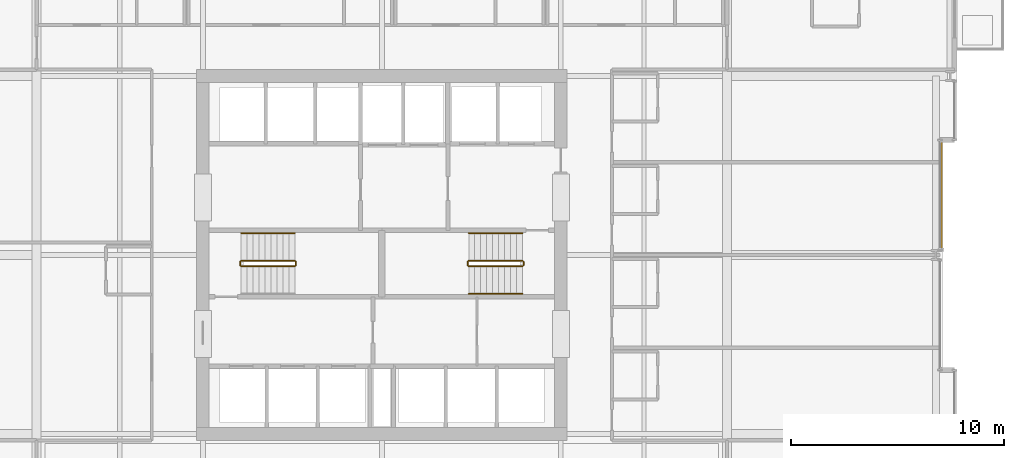
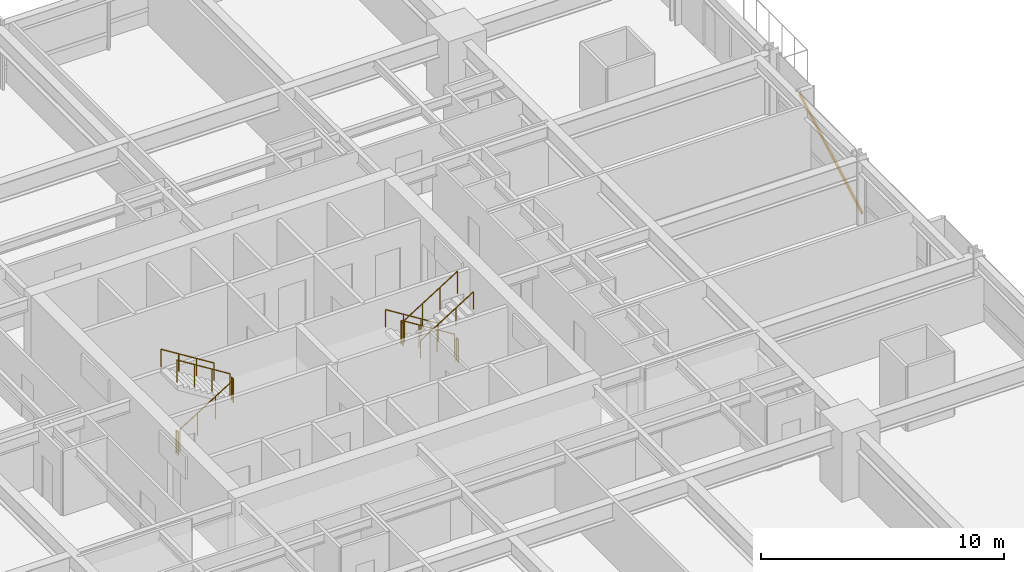
# One storey, part 37 of 38: 11 railings, 1 shading device.
"""IFC4 building model written with IfcOpenShell, lengths in metres."""

from ifc_helpers import new_model, si_unit, direction, frame, origin, origin_2d, place, context, subcontext, project, spatial, hollow_rectangle, circle, extrude, material, material_profile, profile_set, type_object, element, save


model = new_model("IFC4")

# Units and contexts
model_context = context("Model", 3, precision=1e-05, world=origin(), true_north=direction((0.0, 1.0)))
body_context = subcontext(model_context, "Body", "Model", "MODEL_VIEW")
ifc_project = project(units=[si_unit("LENGTHUNIT", "METRE"), si_unit("AREAUNIT", "SQUARE_METRE"), si_unit("VOLUMEUNIT", "CUBIC_METRE"), si_unit("PLANEANGLEUNIT", "RADIAN"), si_unit("MASSUNIT", "GRAM", prefix="KILO")], contexts=[model_context])

# Site, building, storey
site_placement = place(None, origin())
site = spatial("IfcSite", under=ifc_project, at=site_placement, CompositionType="ELEMENT")
building_placement = place(site_placement, origin())
building = spatial("IfcBuilding", under=site, at=building_placement, Name="Drelvath Grand Hotel", CompositionType="ELEMENT")
storey_placement = place(building_placement, frame((0.0, 0.0, 50.699951171875)))
storey = spatial("IfcBuildingStorey", under=building, at=storey_placement, Name="L11", CompositionType="ELEMENT", Elevation=50.699951171875)

# Railings
ifc_material_1 = material(Name="Painted Steel S275", Category="steel")
railing_type_1 = type_object("IfcRailingType", Name="Core Stair Wall Handrail 900", PredefinedType="HANDRAIL", material=ifc_material_1)
for number, where, name in (
    (1, (-4.080078125, 28.030029296875, 1.925048828125), "L11 ST-1 stair handrail 2"),
    (2, (6.60009765625, 28.030029296875, 0.175048828125), "L11 ST-2 stair handrail 1"),
):
    element("IfcRailing", number, at=place(storey_placement, frame(where)), inside=storey, type_object=railing_type_1, Name=name, PredefinedType="HANDRAIL", context=body_context, shape_type="SweptSolid", body=[
        extrude(circle(Radius=0.02392578125, at=origin_2d()), frame((0.0, 0.0, 0.8759765625), z_axis=(-0.848007534815, 0.0, 0.529984170421), x_axis=(0.0, -1.0, 0.0)), (0.0, 0.0, 1.0), 2.9716796875),
        extrude(circle(Radius=0.02099609375, at=origin_2d()), origin(), (0.0, 0.0, 1.0), 0.851806640625),
        extrude(circle(Radius=0.02099609375, at=origin_2d()), frame((-0.840087890625, 0.0, 0.52490234375)), (0.0, 0.0, 1.0), 0.851806640625),
        extrude(circle(Radius=0.02099609375, at=origin_2d()), frame((-1.679931640625, 0.0, 1.050048828125)), (0.0, 0.0, 1.0), 0.851806640625),
        extrude(circle(Radius=0.02099609375, at=origin_2d()), frame((-2.52001953125, 0.0, 1.574951171875)), (0.0, 0.0, 1.0), 0.851806640625),
    ])
railing_1_placement = place(storey_placement, frame((4.080078125, 25.169921875, 1.925048828125)))
element("IfcRailing", 3, at=railing_1_placement, inside=storey, type_object=railing_type_1, Name="L11 ST-2 stair handrail 2", PredefinedType="HANDRAIL", context=body_context, shape_type="SweptSolid", body=[
    extrude(circle(Radius=0.02392578125, at=origin_2d()), frame((0.0, 0.0, 0.8759765625), z_axis=(0.848007534815, 0.0, 0.529984170421), x_axis=(0.0, 1.0, 0.0)), (0.0, 0.0, 1.0), 2.9716796875),
    extrude(circle(Radius=0.02099609375, at=origin_2d()), origin(), (0.0, 0.0, 1.0), 0.851806640625),
    extrude(circle(Radius=0.02099609375, at=origin_2d()), frame((0.840087890625, 0.0, 0.52490234375)), (0.0, 0.0, 1.0), 0.851806640625),
    extrude(circle(Radius=0.02099609375, at=origin_2d()), frame((1.679931640625, 0.0, 1.050048828125)), (0.0, 0.0, 1.0), 0.851806640625),
    extrude(circle(Radius=0.02099609375, at=origin_2d()), frame((2.52001953125, 0.0, 1.574951171875)), (0.0, 0.0, 1.0), 0.851806640625),
])
railing_type_2 = type_object("IfcRailingType", Name="Core Stair Well Guardrail 1100", PredefinedType="GUARDRAIL", material=ifc_material_1)
railing_2_placement = place(storey_placement, frame((-6.60009765625, 26.469970703125, 0.175048828125)))
element("IfcRailing", 4, at=railing_2_placement, inside=storey, type_object=railing_type_2, Name="L11 ST-1 stair guard 1", PredefinedType="GUARDRAIL", context=body_context, shape_type="SweptSolid", body=[
    extrude(circle(Radius=0.02392578125, at=origin_2d()), frame((0.0, 0.0, 1.1259765625), z_axis=(0.848007534815, 0.0, 0.529984170421), x_axis=(0.0, 1.0, 0.0)), (0.0, 0.0, 1.0), 2.9716796875),
    extrude(circle(Radius=0.02099609375, at=origin_2d()), origin(), (0.0, 0.0, 1.0), 1.101806640625),
    extrude(circle(Radius=0.02099609375, at=origin_2d()), frame((0.840087890625, 0.0, 0.52490234375)), (0.0, 0.0, 1.0), 1.101806640625),
    extrude(circle(Radius=0.02099609375, at=origin_2d()), frame((1.679931640625, 0.0, 1.050048828125)), (0.0, 0.0, 1.0), 1.101806640625),
    extrude(circle(Radius=0.02099609375, at=origin_2d()), frame((2.52001953125, 0.0, 1.574951171875)), (0.0, 0.0, 1.0), 1.101806640625),
])
railing_3_placement = place(storey_placement, frame((-4.030029296875, 26.52001953125, 1.75)))
element("IfcRailing", 5, at=railing_3_placement, inside=storey, type_object=railing_type_2, Name="L11 ST-1 stair guard 2", PredefinedType="GUARDRAIL", context=body_context, shape_type="SweptSolid", body=[
    extrude(circle(Radius=0.02392578125, at=origin_2d()), frame((0.0, 0.0, 1.1259765625), z_axis=(0.0, 1.0, 0.0), x_axis=(-1.0, 0.0, 0.0)), (0.0, 0.0, 1.0), 0.159912109375),
    extrude(circle(Radius=0.02099609375, at=origin_2d()), origin(), (0.0, 0.0, 1.0), 1.101806640625),
    extrude(circle(Radius=0.02099609375, at=origin_2d()), frame((0.0, 0.159912109375, 0.0)), (0.0, 0.0, 1.0), 1.101806640625),
])
railing_4_placement = place(storey_placement, frame((-4.080078125, 26.72998046875, 1.925048828125)))
element("IfcRailing", 6, at=railing_4_placement, inside=storey, type_object=railing_type_2, Name="L11 ST-1 stair guard 3", PredefinedType="GUARDRAIL", context=body_context, shape_type="SweptSolid", body=[
    extrude(circle(Radius=0.02392578125, at=origin_2d()), frame((0.0, 0.0, 1.1259765625), z_axis=(-0.848007534815, 0.0, 0.529984170421), x_axis=(0.0, -1.0, 0.0)), (0.0, 0.0, 1.0), 2.9716796875),
    extrude(circle(Radius=0.02099609375, at=origin_2d()), origin(), (0.0, 0.0, 1.0), 1.101806640625),
    extrude(circle(Radius=0.02099609375, at=origin_2d()), frame((-0.840087890625, 0.0, 0.52490234375)), (0.0, 0.0, 1.0), 1.101806640625),
    extrude(circle(Radius=0.02099609375, at=origin_2d()), frame((-1.679931640625, 0.0, 1.050048828125)), (0.0, 0.0, 1.0), 1.101806640625),
    extrude(circle(Radius=0.02099609375, at=origin_2d()), frame((-2.52001953125, 0.0, 1.574951171875)), (0.0, 0.0, 1.0), 1.101806640625),
])
railing_5_placement = place(storey_placement, frame((-6.64990234375, 26.52001953125, 0.0)))
element("IfcRailing", 7, at=railing_5_placement, inside=storey, type_object=railing_type_2, Name="L11 ST-1 stair guard 4", PredefinedType="GUARDRAIL", context=body_context, shape_type="SweptSolid", body=[
    extrude(circle(Radius=0.02392578125, at=origin_2d()), frame((0.0, 0.0, 1.1259765625), z_axis=(0.0, 1.0, 0.0), x_axis=(-1.0, 0.0, 0.0)), (0.0, 0.0, 1.0), 0.159912109375),
    extrude(circle(Radius=0.02099609375, at=origin_2d()), origin(), (0.0, 0.0, 1.0), 1.101806640625),
    extrude(circle(Radius=0.02099609375, at=origin_2d()), frame((0.0, 0.159912109375, 0.0)), (0.0, 0.0, 1.0), 1.101806640625),
])
railing_6_placement = place(storey_placement, frame((6.60009765625, 26.72998046875, 0.175048828125)))
element("IfcRailing", 8, at=railing_6_placement, inside=storey, type_object=railing_type_2, Name="L11 ST-2 stair guard 1", PredefinedType="GUARDRAIL", context=body_context, shape_type="SweptSolid", body=[
    extrude(circle(Radius=0.02392578125, at=origin_2d()), frame((0.0, 0.0, 1.1259765625), z_axis=(-0.848007534815, 0.0, 0.529984170421), x_axis=(0.0, -1.0, 0.0)), (0.0, 0.0, 1.0), 2.9716796875),
    extrude(circle(Radius=0.02099609375, at=origin_2d()), origin(), (0.0, 0.0, 1.0), 1.101806640625),
    extrude(circle(Radius=0.02099609375, at=origin_2d()), frame((-0.840087890625, 0.0, 0.52490234375)), (0.0, 0.0, 1.0), 1.101806640625),
    extrude(circle(Radius=0.02099609375, at=origin_2d()), frame((-1.679931640625, 0.0, 1.050048828125)), (0.0, 0.0, 1.0), 1.101806640625),
    extrude(circle(Radius=0.02099609375, at=origin_2d()), frame((-2.52001953125, 0.0, 1.574951171875)), (0.0, 0.0, 1.0), 1.101806640625),
])
railing_7_placement = place(storey_placement, frame((4.030029296875, 26.679931640625, 1.75)))
element("IfcRailing", 9, at=railing_7_placement, inside=storey, type_object=railing_type_2, Name="L11 ST-2 stair guard 2", PredefinedType="GUARDRAIL", context=body_context, shape_type="SweptSolid", body=[
    extrude(circle(Radius=0.02392578125, at=origin_2d()), frame((0.0, 0.0, 1.1259765625), z_axis=(0.0, -1.0, 0.0), x_axis=(1.0, 0.0, 0.0)), (0.0, 0.0, 1.0), 0.159912109375),
    extrude(circle(Radius=0.02099609375, at=origin_2d()), origin(), (0.0, 0.0, 1.0), 1.101806640625),
    extrude(circle(Radius=0.02099609375, at=origin_2d()), frame((0.0, -0.159912109375, 0.0)), (0.0, 0.0, 1.0), 1.101806640625),
])
railing_8_placement = place(storey_placement, frame((4.080078125, 26.469970703125, 1.925048828125)))
element("IfcRailing", 10, at=railing_8_placement, inside=storey, type_object=railing_type_2, Name="L11 ST-2 stair guard 3", PredefinedType="GUARDRAIL", context=body_context, shape_type="SweptSolid", body=[
    extrude(circle(Radius=0.02392578125, at=origin_2d()), frame((0.0, 0.0, 1.1259765625), z_axis=(0.848007534815, 0.0, 0.529984170421), x_axis=(0.0, 1.0, 0.0)), (0.0, 0.0, 1.0), 2.9716796875),
    extrude(circle(Radius=0.02099609375, at=origin_2d()), origin(), (0.0, 0.0, 1.0), 1.101806640625),
    extrude(circle(Radius=0.02099609375, at=origin_2d()), frame((0.840087890625, 0.0, 0.52490234375)), (0.0, 0.0, 1.0), 1.101806640625),
    extrude(circle(Radius=0.02099609375, at=origin_2d()), frame((1.679931640625, 0.0, 1.050048828125)), (0.0, 0.0, 1.0), 1.101806640625),
    extrude(circle(Radius=0.02099609375, at=origin_2d()), frame((2.52001953125, 0.0, 1.574951171875)), (0.0, 0.0, 1.0), 1.101806640625),
])
railing_9_placement = place(storey_placement, frame((6.64990234375, 26.679931640625, 0.0)))
element("IfcRailing", 11, at=railing_9_placement, inside=storey, type_object=railing_type_2, Name="L11 ST-2 stair guard 4", PredefinedType="GUARDRAIL", context=body_context, shape_type="SweptSolid", body=[
    extrude(circle(Radius=0.02392578125, at=origin_2d()), frame((0.0, 0.0, 1.1259765625), z_axis=(0.0, -1.0, 0.0), x_axis=(1.0, 0.0, 0.0)), (0.0, 0.0, 1.0), 0.159912109375),
    extrude(circle(Radius=0.02099609375, at=origin_2d()), origin(), (0.0, 0.0, 1.0), 1.101806640625),
    extrude(circle(Radius=0.02099609375, at=origin_2d()), frame((0.0, -0.159912109375, 0.0)), (0.0, 0.0, 1.0), 1.101806640625),
])

# Shading device
ifc_material_2 = material(Name="Warm Bronze Anodised Aluminium", Category="aluminium")
ifc_material_profile = material_profile(ifc_material_2, hollow_rectangle(XDim=0.06494140625, YDim=0.159912109375, WallThickness=0.00390625, at=origin_2d()), Name="HSS160X65X4")
ifc_profile_set = profile_set([ifc_material_profile], Name="Warm Bronze Anodised Aluminium")
shading_device_type = type_object("IfcShadingDeviceType", Name="Diagonal Solar Fin Warm Bronze Anodised HSS160X65X4", PredefinedType="USERDEFINED", material=ifc_profile_set)
shading_device_placement = place(storey_placement, frame((26.280029296875, 27.240966796875, 0.179931640625), z_axis=(0.0, 0.873145760887, 0.487459208801), x_axis=(-1.0, 0.0, 0.0)))
element("IfcShadingDevice", 12, at=shading_device_placement, inside=storey, type_object=shading_device_type, Name="L11 Diagonal Anodised Fin CW02-L11-EM2", ObjectType="FIN", PredefinedType="USERDEFINED", context=body_context, shape_type="SweptSolid", body=[
    extrude(hollow_rectangle(XDim=0.06494140625, YDim=0.159912109375, WallThickness=0.00390625, at=origin_2d()), origin(), (0.0, 0.0, 1.0), 5.908447265625),
])

save(model, "model.ifc")
